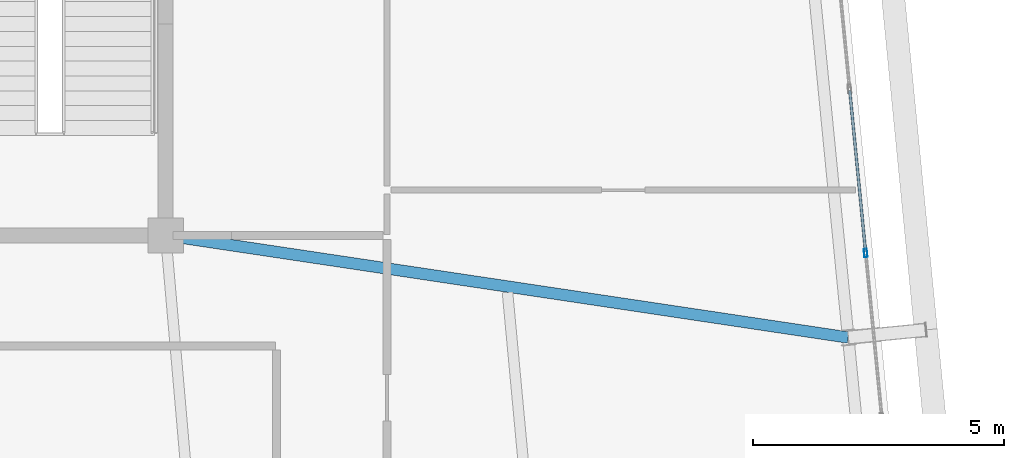
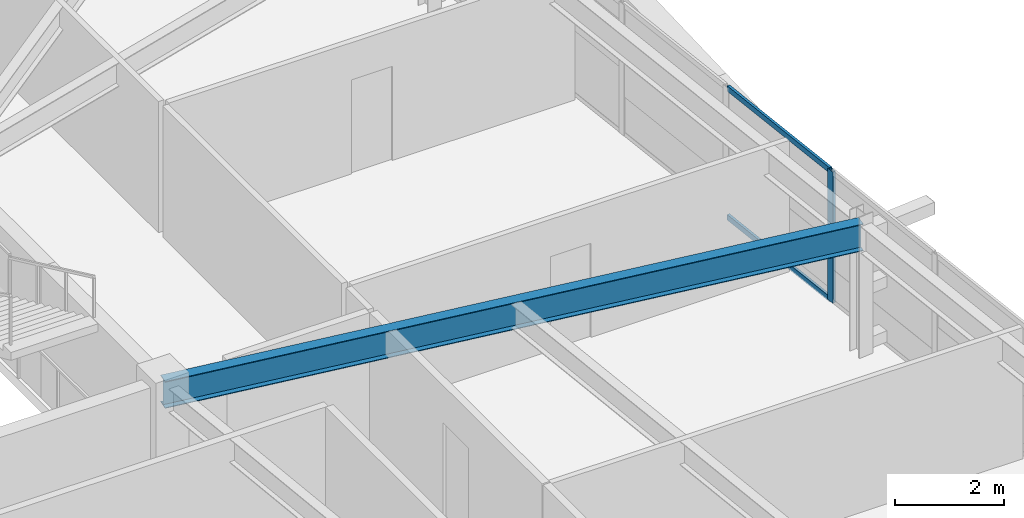
# One storey, part 25 of 52: 3 members, 1 beam, 1 element without a shape of its own.
"""IFC4 building model written with IfcOpenShell, lengths in metres."""

import ifcopenshell
import ifcopenshell.guid

model = None  # the IFC model being written
_history = None  # IfcOwnerHistory: only IFC2X3 demands one
_inside = {}  # id of a spatial element -> (the spatial element, [elements in it])
_under = {}  # id of a project, library or spatial element -> (it, [spatial elements below it])
_declared = {}  # id of a project -> (the project, [libraries it declares])
_typed = {}  # id of a type object -> (the type object, [elements of that type])
_made_of = {}  # id of a material, layer set ... -> (it, [elements and type objects made of it])


def new_model(schema):
    """Start an empty IFC model of exactly this schema.

    Asked for "IFC4X3", IfcOpenShell would pick the latest addendum, in which some entities
    have other attributes; the version numbers below select the first issue.
    IFC2X3 requires an IfcOwnerHistory on every rooted entity: one is made here for all.
    """
    global model, _history
    if schema == "IFC4X3":
        model = ifcopenshell.file(schema_version=(4, 3, 0, 0))
    else:
        model = ifcopenshell.file(schema=schema)
    _inside.clear()
    _under.clear()
    _declared.clear()
    _typed.clear()
    _made_of.clear()
    _history = None
    if model.schema == "IFC2X3":
        org = make("IfcOrganization", Name="unknown")
        user = make(
            "IfcPersonAndOrganization",
            ThePerson=make("IfcPerson", FamilyName="unknown"),
            TheOrganization=org,
        )
        app = make(
            "IfcApplication",
            ApplicationDeveloper=org,
            Version="unknown",
            ApplicationFullName="unknown",
            ApplicationIdentifier="unknown",
        )
        _history = make(
            "IfcOwnerHistory",
            OwningUser=user,
            OwningApplication=app,
            ChangeAction="ADDED",
            CreationDate=0,
        )
    return model


def make(cls, **values):
    """One entity of the class cls with the attributes given. An attribute that is None is left unset."""
    return model.create_entity(
        cls, **{name: value for name, value in values.items() if value is not None}
    )


def rooted(cls, **values):
    """An entity with a GlobalId (a new one), such as an element, a storey or a relation."""
    return make(cls, GlobalId=ifcopenshell.guid.new(), OwnerHistory=_history, **values)


def si_unit(unit_type, name, prefix=None):
    """IfcSIUnit, for example si_unit("LENGTHUNIT", "METRE", prefix="MILLI")."""
    return make("IfcSIUnit", UnitType=unit_type, Prefix=prefix, Name=name)


def assignment(units):
    """IfcUnitAssignment: the units of a project."""
    return None if units is None else make("IfcUnitAssignment", Units=units)


def point(xyz):
    """IfcCartesianPoint."""
    return None if xyz is None else make("IfcCartesianPoint", Coordinates=xyz)


def direction(xyz):
    """IfcDirection."""
    return None if xyz is None else make("IfcDirection", DirectionRatios=xyz)


def frame(location, z_axis=None, x_axis=None):
    """IfcAxis2Placement3D, a coordinate frame: its origin and axes. An axis left out is left unset."""
    return make(
        "IfcAxis2Placement3D",
        Location=point(location),
        Axis=direction(z_axis),
        RefDirection=direction(x_axis),
    )


def frame_2d(location, x_axis=None):
    """IfcAxis2Placement2D, a coordinate frame in the plane: its origin and x axis."""
    return make(
        "IfcAxis2Placement2D", Location=point(location), RefDirection=direction(x_axis)
    )


def origin():
    """The frame at (0, 0, 0) with its axes left unset."""
    return frame((0.0, 0.0, 0.0))


def origin_2d():
    """The frame at (0, 0) in the plane with its x axis left unset."""
    return frame_2d((0.0, 0.0))


def place(relative_to, where):
    """IfcLocalPlacement: puts the frame where relative to a parent placement (None: the world)."""
    return make(
        "IfcLocalPlacement", PlacementRelTo=relative_to, RelativePlacement=where
    )


def context(
    kind, dimensions, precision=None, world=None, true_north=None, identifier=None
):
    """IfcGeometricRepresentationContext, for example the 3D "Model" context."""
    return make(
        "IfcGeometricRepresentationContext",
        ContextIdentifier=identifier,
        ContextType=kind,
        CoordinateSpaceDimension=dimensions,
        Precision=precision,
        WorldCoordinateSystem=world,
        TrueNorth=true_north,
    )


def subcontext(parent, identifier, kind, view, scale=None):
    """IfcGeometricRepresentationSubContext, for example "Body" below "Model"."""
    return make(
        "IfcGeometricRepresentationSubContext",
        ContextIdentifier=identifier,
        ContextType=kind,
        ParentContext=parent,
        TargetScale=scale,
        TargetView=view,
    )


def project(units=None, contexts=None):
    """IfcProject with its units and contexts."""
    return rooted(
        "IfcProject",
        Name="project",
        RepresentationContexts=contexts,
        UnitsInContext=assignment(units),
    )


def spatial(cls, under=None, at=None, **own):
    """A site, building, storey or space (cls), placed at a placement, below another one or the project."""
    s = rooted(cls, ObjectPlacement=at, **own)
    if under is not None:
        _under.setdefault(under.id(), (under, []))[1].append(s)
    return s


def profile(cls, at=None, kind="AREA", **sizes):
    """A parametric profile (cls). Its sizes go by their IFC names, for example OverallWidth=200.0."""
    return make(cls, ProfileType=kind, Position=at, **sizes)


def hollow_rectangle(**sizes):
    """IfcRectangleHollowProfileDef."""
    return profile("IfcRectangleHollowProfileDef", **sizes)


def i_section(**sizes):
    """IfcIShapeProfileDef."""
    return profile("IfcIShapeProfileDef", **sizes)


def extrude(swept, where, along, depth):
    """IfcExtrudedAreaSolid: the profile swept, set in the frame where, extruded along a direction by depth."""
    return make(
        "IfcExtrudedAreaSolid",
        SweptArea=swept,
        Position=where,
        ExtrudedDirection=direction(along),
        Depth=depth,
    )


def shape(context_of_items, identifier, shape_type, items):
    """IfcShapeRepresentation: the items that make up one representation, for example the "Body"."""
    return make(
        "IfcShapeRepresentation",
        ContextOfItems=context_of_items,
        RepresentationIdentifier=identifier,
        RepresentationType=shape_type,
        Items=items,
    )


def source(mapping_origin, context_of_items, identifier, shape_type, items):
    """IfcRepresentationMap: a shape defined once, which mapped items show again and again."""
    return make(
        "IfcRepresentationMap",
        MappingOrigin=mapping_origin,
        MappedRepresentation=shape(context_of_items, identifier, shape_type, items),
    )


def transform(
    local_origin,
    x_axis=None,
    y_axis=None,
    z_axis=None,
    scale=None,
    scale2=None,
    scale3=None,
    uniform=True,
):
    """IfcCartesianTransformationOperator3D, or its non-uniform kind. x_axis, y_axis, z_axis: its Axis1, 2, 3."""
    if uniform:
        return make(
            "IfcCartesianTransformationOperator3D",
            Axis1=direction(x_axis),
            Axis2=direction(y_axis),
            LocalOrigin=point(local_origin),
            Scale=scale,
            Axis3=direction(z_axis),
        )
    return make(
        "IfcCartesianTransformationOperator3DnonUniform",
        Axis1=direction(x_axis),
        Axis2=direction(y_axis),
        LocalOrigin=point(local_origin),
        Scale=scale,
        Axis3=direction(z_axis),
        Scale2=scale2,
        Scale3=scale3,
    )


def mapped(mapping_source, mapping_target):
    """IfcMappedItem: shows the shape of a source again, moved by a transform."""
    return make(
        "IfcMappedItem", MappingSource=mapping_source, MappingTarget=mapping_target
    )


def material(Name=None, Category=None):
    """IfcMaterial."""
    return make("IfcMaterial", Name=Name, Category=Category)


def layer(
    of_material, thickness, ventilated=None, Name=None, Category=None, Priority=None
):
    """IfcMaterialLayer: one layer of a wall or slab, of a material (None: an air gap)."""
    return make(
        "IfcMaterialLayer",
        Material=of_material,
        LayerThickness=thickness,
        IsVentilated=ventilated,
        Name=Name,
        Category=Category,
        Priority=Priority,
    )


def layer_set(layers, Name=None):
    """IfcMaterialLayerSet."""
    return make("IfcMaterialLayerSet", MaterialLayers=layers, LayerSetName=Name)


def material_profile(
    of_material, cross_section, Name=None, Category=None, Priority=None
):
    """IfcMaterialProfile: a cross section and its material."""
    return make(
        "IfcMaterialProfile",
        Name=Name,
        Material=of_material,
        Profile=cross_section,
        Priority=Priority,
        Category=Category,
    )


def profile_set(profiles, Name=None, composite=None):
    """IfcMaterialProfileSet."""
    return make(
        "IfcMaterialProfileSet",
        Name=Name,
        MaterialProfiles=profiles,
        CompositeProfile=composite,
    )


def made_of(thing, what):
    """Note that an element or type object is made of a material, layer set ...; save() writes the relation."""
    if what is not None:
        _made_of.setdefault(what.id(), (what, []))[1].append(thing)
    return thing


def type_object(cls, material=None, **own):
    """A type object (cls), such as IfcWallType, which elements share."""
    return made_of(rooted(cls, **own), material)


def element(
    cls,
    number,
    at=None,
    inside=None,
    cuts=None,
    type_object=None,
    material=None,
    context=None,
    identifier="Body",
    shape_type=None,
    held_by="IfcProductDefinitionShape",
    body=None,
    shapes=None,
    **own,
):
    """One element of the class cls, such as IfcWall. Its Tag is "e" and its number.

    at: its placement. inside: the storey or other place that contains it. cuts: it is an
    opening in that element (IfcRelVoidsElement). A single representation is given by context,
    identifier, shape_type and body (its items); several are given by shapes. held_by: the class
    of the entity that holds the representations. save() writes the other relations.
    """
    e = rooted(cls, Tag="e%d" % number, ObjectPlacement=at, **own)
    if body is not None:
        shapes = [shape(context, identifier, shape_type, body)]
    if shapes is not None:
        e.Representation = make(held_by, Representations=shapes)
    if inside is not None:
        _inside.setdefault(inside.id(), (inside, []))[1].append(e)
    if cuts is not None:
        rooted(
            "IfcRelVoidsElement", RelatingBuildingElement=cuts, RelatedOpeningElement=e
        )
    if type_object is not None:
        _typed.setdefault(type_object.id(), (type_object, []))[1].append(e)
    return made_of(e, material)


def aggregate(whole, parts):
    """IfcRelAggregates: a whole, such as a stair, and the parts it consists of."""
    return rooted("IfcRelAggregates", RelatingObject=whole, RelatedObjects=parts)


def save(model, path):
    """Write the relations noted so far, then the file.

    IfcRelAggregates (storeys below a building ...), IfcRelContainedInSpatialStructure (elements
    in a storey), IfcRelDefinesByType, IfcRelAssociatesMaterial and IfcRelDeclares: one each for
    every whole, place, type object, material and project.
    """
    for whole, parts in _under.values():
        aggregate(whole, parts)
    for where, things in _inside.values():
        rooted(
            "IfcRelContainedInSpatialStructure",
            RelatedElements=things,
            RelatingStructure=where,
        )
    for kind, things in _typed.values():
        rooted("IfcRelDefinesByType", RelatedObjects=things, RelatingType=kind)
    for what, things in _made_of.values():
        rooted("IfcRelAssociatesMaterial", RelatedObjects=things, RelatingMaterial=what)
    for by, libraries in _declared.values():
        rooted("IfcRelDeclares", RelatingContext=by, RelatedDefinitions=libraries)
    model.write(path)


model = new_model("IFC4")

# Units and contexts
model_context = context("Model", 3, precision=1e-05, world=origin(), true_north=direction((0.0, 1.0)))
body_context = subcontext(model_context, "Body", "Model", "MODEL_VIEW")
ifc_project = project(units=[si_unit("LENGTHUNIT", "METRE"), si_unit("AREAUNIT", "SQUARE_METRE"), si_unit("VOLUMEUNIT", "CUBIC_METRE"), si_unit("PLANEANGLEUNIT", "RADIAN"), si_unit("MASSUNIT", "GRAM", prefix="KILO")], contexts=[model_context])

# Site, building, storey
site_placement = place(None, origin())
site = spatial("IfcSite", under=ifc_project, at=site_placement, CompositionType="ELEMENT")
building_placement = place(site_placement, origin())
building = spatial("IfcBuilding", under=site, at=building_placement, Name="Taldren Reach Tower", CompositionType="ELEMENT")
storey_placement = place(building_placement, frame((0.0, 0.0, 96.60009765625)))
storey = spatial("IfcBuildingStorey", under=building, at=storey_placement, Name="L29", CompositionType="ELEMENT", Elevation=96.60009765625)

# Beam
ifc_material_1 = material(Name="Steel Gr 350 (350PLUS)", Category="steel")
ifc_material_profile_1 = material_profile(ifc_material_1, i_section(OverallWidth=0.22802734375, OverallDepth=0.60205078125, WebThickness=0.010498046875, FlangeThickness=0.014892578125, at=origin_2d()), Name="610UB101")
ifc_profile_set_1 = profile_set([ifc_material_profile_1], Name="Steel Gr 350 (350PLUS)")
beam_type = type_object("IfcBeamType", Name="BM-UB610B", PredefinedType="BEAM", material=ifc_profile_set_1)
shared_shape_1 = source(origin(), body_context, "Body", "SweptSolid", [
    extrude(i_section(OverallWidth=0.22802734375, OverallDepth=0.60205078125, WebThickness=0.010498046875, FlangeThickness=0.014892578125, at=origin_2d()), origin(), (0.0, 0.0, 1.0), 13.720703125),
])
beam_placement = place(storey_placement, frame((51.0, 24.0, 2.62890625), z_axis=(0.988983679407, -0.148024598856, 0.0), x_axis=(0.148024598856, 0.988983679407, 0.0)))
element("IfcBeam", 1, at=beam_placement, inside=storey, type_object=beam_type, Name="Primary floor girder B2-E2 L29", PredefinedType="BEAM", context=body_context, shape_type="MappedRepresentation", body=[
    mapped(shared_shape_1, transform((0.0, 0.0, 0.0), scale=1.0)),
])

# Curtain wall, members
ifc_material_2 = material(Name="Aluminium and Low-E Glass Unitised System", Category="aluminium")
ifc_layer = layer(ifc_material_2, 0.159912109375)
ifc_layer_set = layer_set([ifc_layer], Name="Aluminium and Low-E Glass Unitised System")
curtain_wall_type = type_object("IfcCurtainWallType", Name="CW-SYS-3", PredefinedType="NOTDEFINED", material=ifc_layer_set)
curtain_wall_placement = place(storey_placement, origin())
curtain_wall = element("IfcCurtainWall", 2, at=curtain_wall_placement, inside=storey, type_object=curtain_wall_type, Name="Unitised curtain wall CW-L29-E", PredefinedType="NOTDEFINED")
ifc_material_3 = material(Name="Anodised Aluminium 6063-T6", Category="aluminium")
ifc_material_profile_2 = material_profile(ifc_material_3, hollow_rectangle(XDim=0.06494140625, YDim=0.1650390625, WallThickness=0.00390625, at=origin_2d()), Name="ALU-165x65x4RHS")
ifc_profile_set_2 = profile_set([ifc_material_profile_2], Name="Anodised Aluminium 6063-T6")
member_type_1 = type_object("IfcMemberType", Name="CW-MUL-165", PredefinedType="MULLION", material=ifc_profile_set_2)
shared_shape_2 = source(origin(), body_context, "Body", "SweptSolid", [
    extrude(hollow_rectangle(XDim=0.06494140625, YDim=0.1650390625, WallThickness=0.00390625, at=origin_2d()), origin(), (0.0, 0.0, 1.0), 2.929931640625),
])
member_1_placement = place(storey_placement, frame((64.9169921875, 23.649658203125, 0.0), z_axis=(0.0, 0.0, 1.0), x_axis=(-0.99522741555, -0.09758274098, 0.0)))
member_1 = element("IfcMember", 3, at=member_1_placement, type_object=member_type_1, Name="CW-3 mullion 6", PredefinedType="MULLION", context=body_context, shape_type="MappedRepresentation", body=[
    mapped(shared_shape_2, transform((0.0, 0.0, 0.0), scale=1.0)),
])
ifc_material_profile_3 = material_profile(ifc_material_3, hollow_rectangle(XDim=0.054931640625, YDim=0.1201171875, WallThickness=0.0029296875, at=origin_2d()), Name="ALU-120x55x3RHS")
ifc_profile_set_3 = profile_set([ifc_material_profile_3], Name="Anodised Aluminium 6063-T6")
member_type_2 = type_object("IfcMemberType", Name="CW-TRN-135", PredefinedType="USERDEFINED", material=ifc_profile_set_3)
shared_shape_3 = source(origin(), body_context, "Body", "SweptSolid", [
    extrude(hollow_rectangle(XDim=0.054931640625, YDim=0.1201171875, WallThickness=0.0029296875, at=origin_2d()), origin(), (0.0, 0.0, 1.0), 3.212646484375),
])
member_2_placement = place(storey_placement, frame((64.913818359375, 23.68212890625, 0.02734375), z_axis=(-0.097577327663, 0.995227946315, 0.0), x_axis=(-0.995227946315, -0.097577327663, 0.0)))
member_2 = element("IfcMember", 4, at=member_2_placement, type_object=member_type_2, Name="CW-3 transom 6.1", ObjectType="TRANSOM", PredefinedType="USERDEFINED", context=body_context, shape_type="MappedRepresentation", body=[
    mapped(shared_shape_3, transform((0.0, 0.0, 0.0), scale=1.0)),
])
member_3_placement = place(storey_placement, frame((64.913818359375, 23.68212890625, 2.90234375), z_axis=(-0.097577327663, 0.995227946315, 0.0), x_axis=(-0.995227946315, -0.097577327663, 0.0)))
member_3 = element("IfcMember", 5, at=member_3_placement, type_object=member_type_2, Name="CW-3 transom 6.2", ObjectType="TRANSOM", PredefinedType="USERDEFINED", context=body_context, shape_type="MappedRepresentation", body=[
    mapped(shared_shape_3, transform((0.0, 0.0, 0.0), scale=1.0)),
])
aggregate(curtain_wall, [member_1, member_2, member_3])

save(model, "model.ifc")
